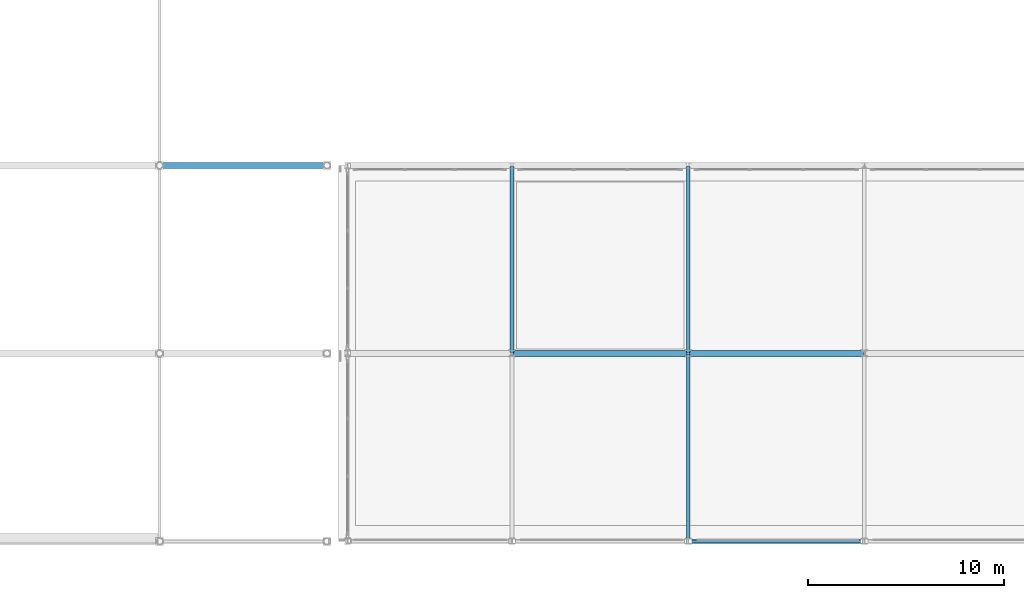
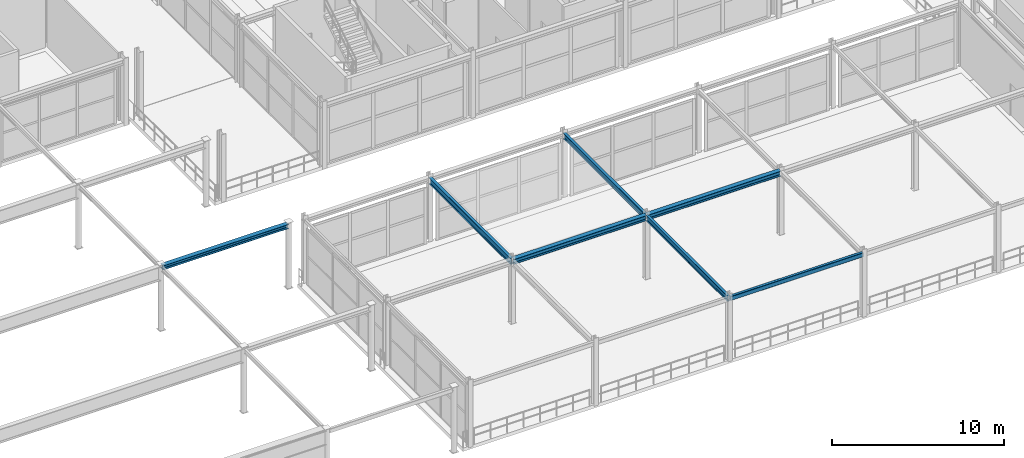
# One storey, part 31 of 125: 7 beams.
"""IFC4 building model written with IfcOpenShell, lengths in metres."""

from ifc_helpers import new_model, si_unit, direction, frame, origin, origin_2d, place, context, subcontext, project, spatial, hollow_rectangle, i_section, extrude, material, material_profile, profile_set, type_object, element, save


model = new_model("IFC4")

# Units and contexts
model_context = context("Model", 3, precision=1e-05, world=origin(), true_north=direction((0.0, 1.0)))
body_context = subcontext(model_context, "Body", "Model", "MODEL_VIEW")
ifc_project = project(units=[si_unit("LENGTHUNIT", "METRE"), si_unit("AREAUNIT", "SQUARE_METRE"), si_unit("VOLUMEUNIT", "CUBIC_METRE"), si_unit("PLANEANGLEUNIT", "RADIAN"), si_unit("MASSUNIT", "GRAM", prefix="KILO")], contexts=[model_context])

# Site, building, storey
site_placement = place(None, origin())
site = spatial("IfcSite", under=ifc_project, at=site_placement, CompositionType="ELEMENT")
building_placement = place(site_placement, origin())
building = spatial("IfcBuilding", under=site, at=building_placement, Name="Myrtia Square Station", CompositionType="ELEMENT")
storey_placement = place(building_placement, frame((0.0, 0.0, 6.0)))
storey = spatial("IfcBuildingStorey", under=building, at=storey_placement, Name="L01", CompositionType="ELEMENT", Elevation=6.0)

# Beams
ifc_material = material(Name="Steel S355", Category="steel")
ifc_material_profile_1 = material_profile(ifc_material, i_section(OverallWidth=0.300048828125, OverallDepth=0.300048828125, WebThickness=0.010986328125, FlangeThickness=0.01904296875, FilletRadius=0.027099609375, at=origin_2d()), Name="HEB 300")
ifc_profile_set_1 = profile_set([ifc_material_profile_1], Name="Steel S355")
beam_type_1 = type_object("IfcBeamType", Name="BM-HEB300", PredefinedType="BEAM", material=ifc_profile_set_1)
beam_1_placement = place(storey_placement, frame((63.050048828125, 19.199951171875, 4.405029296875), z_axis=(1.0, 0.0, 0.0), x_axis=(0.0, 1.0, 0.0)))
element("IfcBeam", 1, at=beam_1_placement, inside=storey, type_object=beam_type_1, Name="Structural girder BMX-L01-0463", PredefinedType="BEAM", context=body_context, shape_type="SweptSolid", body=[
    extrude(i_section(OverallWidth=0.300048828125, OverallDepth=0.300048828125, WebThickness=0.010986328125, FlangeThickness=0.01904296875, FilletRadius=0.027099609375, at=origin_2d()), origin(), (0.0, 0.0, 1.0), 8.449951171875),
])
ifc_material_profile_2 = material_profile(ifc_material, i_section(OverallWidth=0.300048828125, OverallDepth=0.360107421875, WebThickness=0.012451171875, FlangeThickness=0.0224609375, FilletRadius=0.027099609375, at=origin_2d()), Name="HEB 360")
ifc_profile_set_2 = profile_set([ifc_material_profile_2], Name="Steel S355")
beam_type_2 = type_object("IfcBeamType", Name="BM-HEB360", PredefinedType="BEAM", material=ifc_profile_set_2)
for number, where, z_axis, x_axis, name in (
    (2, (81.050048828125, 9.60009765625, 4.35498046875), (1.0, 0.0, 0.0), (0.0, 1.0, 0.0), "Structural girder BMX-L01-0575"),
    (3, (90.050048828125, 9.60009765625, 4.35498046875), (1.0, 0.0, 0.0), (0.0, 1.0, 0.0), "Structural girder BMX-L01-0576"),
):
    element("IfcBeam", number, at=place(storey_placement, frame(where, z_axis=z_axis, x_axis=x_axis)), inside=storey, type_object=beam_type_2, Name=name, PredefinedType="BEAM", context=body_context, shape_type="SweptSolid", body=[
        extrude(i_section(OverallWidth=0.300048828125, OverallDepth=0.360107421875, WebThickness=0.012451171875, FlangeThickness=0.0224609375, FilletRadius=0.027099609375, at=origin_2d()), origin(), (0.0, 0.0, 1.0), 8.89990234375),
    ])
ifc_material_profile_3 = material_profile(ifc_material, i_section(OverallWidth=0.179931640625, OverallDepth=0.39990234375, WebThickness=0.008544921875, FlangeThickness=0.013427734375, FilletRadius=0.02099609375, at=origin_2d()), Name="IPE 400")
ifc_profile_set_3 = profile_set([ifc_material_profile_3], Name="Steel S355")
beam_type_3 = type_object("IfcBeamType", Name="BM-IPE400", PredefinedType="BEAM", material=ifc_profile_set_3)
for number, where, z_axis, x_axis, name in (
    (4, (90.0, 0.050048828125, 4.3349609375), (0.0, 1.0, 0.0), (-1.0, 0.0, 0.0), "Structural girder BMY-L01-0604"),
    (5, (90.0, 9.64990234375, 4.3349609375), (0.0, 1.0, 0.0), (-1.0, 0.0, 0.0), "Structural girder BMY-L01-0605"),
):
    element("IfcBeam", number, at=place(storey_placement, frame(where, z_axis=z_axis, x_axis=x_axis)), inside=storey, type_object=beam_type_3, Name=name, PredefinedType="BEAM", context=body_context, shape_type="SweptSolid", body=[
        extrude(i_section(OverallWidth=0.179931640625, OverallDepth=0.39990234375, WebThickness=0.008544921875, FlangeThickness=0.013427734375, FilletRadius=0.02099609375, at=origin_2d()), origin(), (0.0, 0.0, 1.0), 9.5),
    ])
ifc_material_profile_4 = material_profile(ifc_material, i_section(OverallWidth=0.18994140625, OverallDepth=0.449951171875, WebThickness=0.009521484375, FlangeThickness=0.0146484375, FilletRadius=0.02099609375, at=origin_2d()), Name="IPE 450")
ifc_profile_set_4 = profile_set([ifc_material_profile_4], Name="Steel S355")
beam_type_4 = type_object("IfcBeamType", Name="BM-IPE450", PredefinedType="BEAM", material=ifc_profile_set_4)
beam_2_placement = place(storey_placement, frame((81.0, 9.64990234375, 4.31005859375), z_axis=(0.0, 1.0, 0.0), x_axis=(-1.0, 0.0, 0.0)))
element("IfcBeam", 6, at=beam_2_placement, inside=storey, type_object=beam_type_4, Name="Structural girder BMY-L01-0603", PredefinedType="BEAM", context=body_context, shape_type="SweptSolid", body=[
    extrude(i_section(OverallWidth=0.18994140625, OverallDepth=0.449951171875, WebThickness=0.009521484375, FlangeThickness=0.0146484375, FilletRadius=0.02099609375, at=origin_2d()), origin(), (0.0, 0.0, 1.0), 9.5),
])
ifc_material_profile_5 = material_profile(ifc_material, hollow_rectangle(XDim=0.199951171875, YDim=0.300048828125, WallThickness=0.01611328125, InnerFilletRadius=0.01611328125, OuterFilletRadius=0.031982421875, at=origin_2d()), Name="RHS 300x200x16")
ifc_profile_set_5 = profile_set([ifc_material_profile_5], Name="Steel S355")
beam_type_5 = type_object("IfcBeamType", Name="SPN-RHS300", PredefinedType="SPANDREL", material=ifc_profile_set_5)
beam_3_placement = place(storey_placement, frame((90.050048828125, 0.0, 4.385009765625), z_axis=(1.0, 0.0, 0.0), x_axis=(0.0, 1.0, 0.0)))
element("IfcBeam", 7, at=beam_3_placement, inside=storey, type_object=beam_type_5, Name="Structural girder SPN-L01-0153", PredefinedType="SPANDREL", context=body_context, shape_type="SweptSolid", body=[
    extrude(hollow_rectangle(XDim=0.199951171875, YDim=0.300048828125, WallThickness=0.01611328125, InnerFilletRadius=0.01611328125, OuterFilletRadius=0.031982421875, at=origin_2d()), origin(), (0.0, 0.0, 1.0), 8.89990234375),
])

save(model, "model.ifc")
